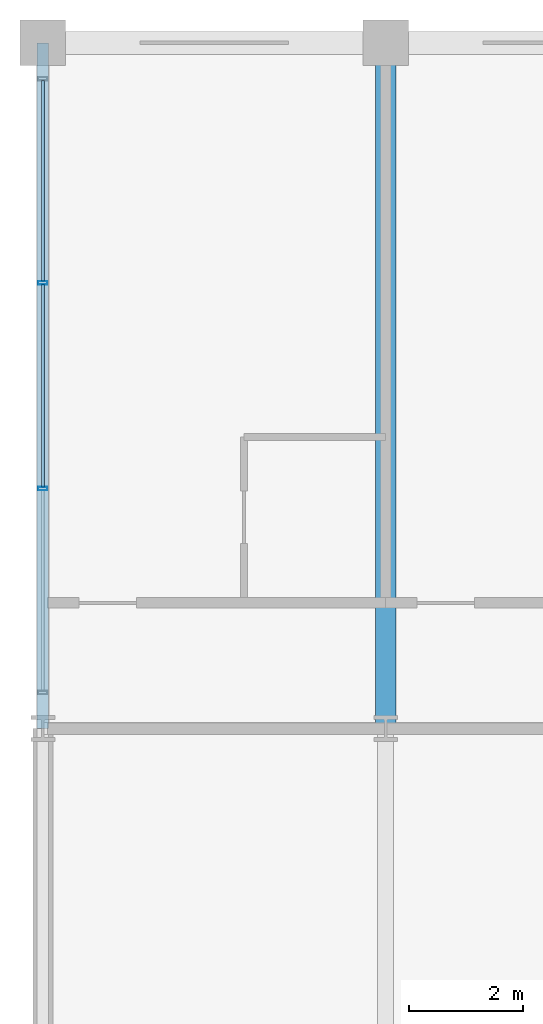
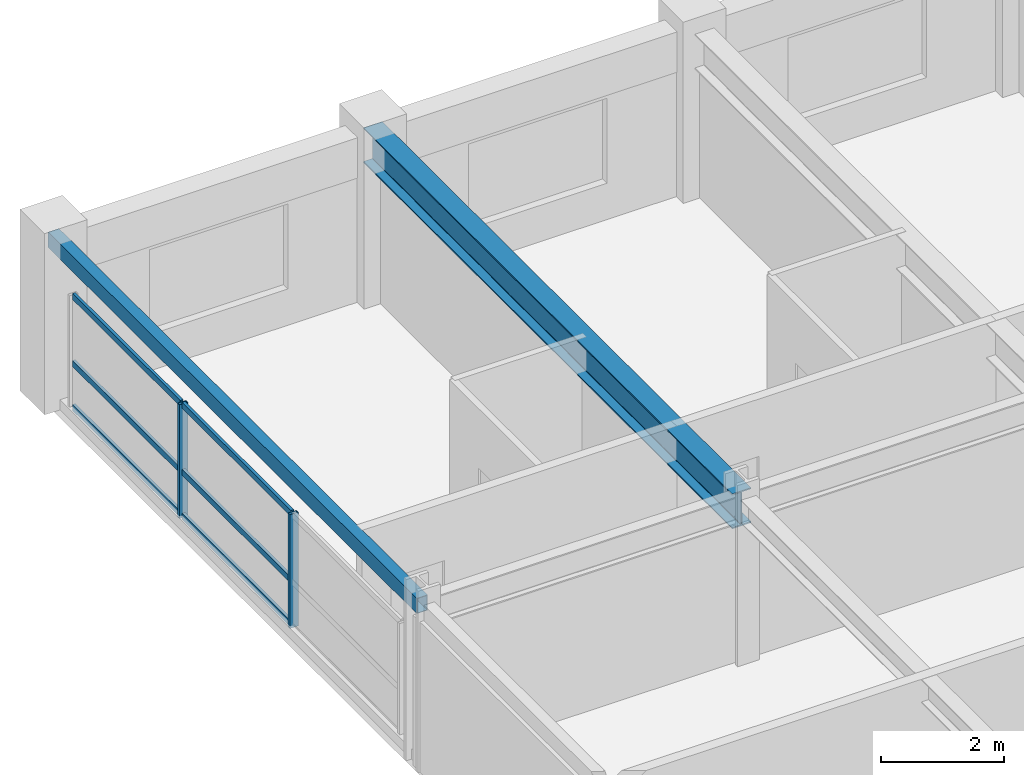
# One storey, part 8 of 26: 8 members, 2 beams, 1 element without a shape of its own.
"""IFC4 building model written with IfcOpenShell, lengths in metres."""

from ifc_helpers import new_model, si_unit, direction, frame, origin, origin_2d, place, context, subcontext, project, spatial, hollow_rectangle, i_section, extrude, material, material_profile, profile_set, type_object, element, aggregate, save


model = new_model("IFC4")

# Units and contexts
model_context = context("Model", 3, precision=1e-05, world=origin(), true_north=direction((0.0, 1.0)))
body_context = subcontext(model_context, "Body", "Model", "MODEL_VIEW")
ifc_project = project(units=[si_unit("LENGTHUNIT", "METRE"), si_unit("AREAUNIT", "SQUARE_METRE"), si_unit("VOLUMEUNIT", "CUBIC_METRE"), si_unit("PLANEANGLEUNIT", "RADIAN"), si_unit("MASSUNIT", "GRAM", prefix="KILO")], contexts=[model_context])

# Site, building, storey
site_placement = place(None, origin())
site = spatial("IfcSite", under=ifc_project, at=site_placement, CompositionType="ELEMENT")
building_placement = place(site_placement, origin())
building = spatial("IfcBuilding", under=site, at=building_placement, Name="Kaldorvane Square Convention Centre", CompositionType="ELEMENT")
storey_placement = place(building_placement, frame((0.0, 0.0, 45.600006103515625)))
storey = spatial("IfcBuildingStorey", under=building, at=storey_placement, Name="L10", CompositionType="ELEMENT", Elevation=45.600006103515625)

# Beams
ifc_material_1 = material(Name="Steel ASTM A992 Gr. 50", Category="steel")
ifc_material_profile_1 = material_profile(ifc_material_1, i_section(OverallWidth=0.354705810546875, OverallDepth=0.69549560546875, WebThickness=0.0153961181640625, FlangeThickness=0.0251007080078125, FilletRadius=0.01519775390625, at=origin_2d()), Name="W27X146")
ifc_profile_set_1 = profile_set([ifc_material_profile_1], Name="Steel ASTM A992 Gr. 50")
beam_type_1 = type_object("IfcBeamType", Name="BM-GR-W27X146", PredefinedType="BEAM", material=ifc_profile_set_1)
beam_1_placement = place(storey_placement, frame((30.0, 105.0, 2.93829345703125), z_axis=(0.0, 1.0, 0.0), x_axis=(-1.0, 0.0, 0.0)))
element("IfcBeam", 1, at=beam_1_placement, inside=storey, type_object=beam_type_1, Name="Transverse Girder (L10)", PredefinedType="BEAM", context=body_context, shape_type="SweptSolid", body=[
    extrude(i_section(OverallWidth=0.354705810546875, OverallDepth=0.69549560546875, WebThickness=0.0153961181640625, FlangeThickness=0.0251007080078125, FilletRadius=0.01519775390625, at=origin_2d()), origin(), (0.0, 0.0, 1.0), 12.0),
])
ifc_material_2 = material(Name="Steel ASTM A500 Gr. C", Category="steel")
ifc_material_profile_2 = material_profile(ifc_material_2, hollow_rectangle(XDim=0.2032012939453125, YDim=0.3047943115234375, WallThickness=0.0088958740234375, at=origin_2d()), Name="HSS12X8X3/8")
ifc_profile_set_2 = profile_set([ifc_material_profile_2], Name="Steel ASTM A500 Gr. C")
beam_type_2 = type_object("IfcBeamType", Name="BM-SP-HSS12", PredefinedType="SPANDREL", material=ifc_profile_set_2)
beam_2_placement = place(storey_placement, frame((24.0, 105.0, 3.1335906982421875), z_axis=(0.0, 1.0, 0.0), x_axis=(-1.0, 0.0, 0.0)))
element("IfcBeam", 2, at=beam_2_placement, inside=storey, type_object=beam_type_2, Name="End Spandrel (L10)", PredefinedType="SPANDREL", context=body_context, shape_type="SweptSolid", body=[
    extrude(hollow_rectangle(XDim=0.2032012939453125, YDim=0.3047943115234375, WallThickness=0.0088958740234375, at=origin_2d()), origin(), (0.0, 0.0, 1.0), 12.0),
])

# Curtain wall, members
ifc_material_3 = material(Name="Anodized Aluminum and Low-E Insulated Glazing", Category="aluminium")
curtain_wall_type = type_object("IfcCurtainWallType", Name="CW-UNI-HTL-B", PredefinedType="USERDEFINED", material=ifc_material_3)
curtain_wall_placement = place(storey_placement, origin())
curtain_wall = element("IfcCurtainWall", 3, at=curtain_wall_placement, inside=storey, type_object=curtain_wall_type, Name="Curtain Wall CW-11 (L10)", ObjectType="UNITISED GLAZING", PredefinedType="USERDEFINED")
ifc_material_profile_3 = material_profile(ifc_material_3, hollow_rectangle(XDim=0.05999755859375, YDim=0.160003662109375, WallThickness=0.003204345703125, at=origin_2d()), Name="CWM-160X60")
ifc_profile_set_3 = profile_set([ifc_material_profile_3], Name="Anodized Aluminum and Low-E Insulated Glazing")
member_type_1 = type_object("IfcMemberType", Name="CW-MUL-160", PredefinedType="MULLION", material=ifc_profile_set_3)
member_1_placement = place(storey_placement, frame((24.0, 112.80000305175781, 0.149993896484375), z_axis=(0.0, 0.0, 1.0), x_axis=(0.0, -1.0, 0.0)))
member_1 = element("IfcMember", 4, at=member_1_placement, type_object=member_type_1, Name="CW-11 mullion 2", PredefinedType="MULLION", context=body_context, shape_type="SweptSolid", body=[
    extrude(hollow_rectangle(XDim=0.05999755859375, YDim=0.160003662109375, WallThickness=0.003204345703125, at=origin_2d()), origin(), (0.0, 0.0, 1.0), 2.2599945068359375),
])
member_2_placement = place(storey_placement, frame((24.0, 109.19999694824219, 0.149993896484375), z_axis=(0.0, 0.0, 1.0), x_axis=(0.0, -1.0, 0.0)))
member_2 = element("IfcMember", 5, at=member_2_placement, type_object=member_type_1, Name="CW-11 mullion 3", PredefinedType="MULLION", context=body_context, shape_type="SweptSolid", body=[
    extrude(hollow_rectangle(XDim=0.05999755859375, YDim=0.160003662109375, WallThickness=0.003204345703125, at=origin_2d()), origin(), (0.0, 0.0, 1.0), 2.2599945068359375),
])
ifc_material_profile_4 = material_profile(ifc_material_3, hollow_rectangle(XDim=0.05499267578125, YDim=0.1199951171875, WallThickness=0.0030059814453125, at=origin_2d()), Name="CWT-120X55")
ifc_profile_set_4 = profile_set([ifc_material_profile_4], Name="Anodized Aluminum and Low-E Insulated Glazing")
member_type_2 = type_object("IfcMemberType", Name="CW-TRN-120", PredefinedType="USERDEFINED", material=ifc_profile_set_4)
member_3_placement = place(storey_placement, frame((24.0, 116.33999633789062, 0.177490234375), z_axis=(0.0, -1.0, 0.0), x_axis=(1.0, 0.0, 0.0)))
member_3 = element("IfcMember", 6, at=member_3_placement, type_object=member_type_2, Name="CW-11 transom 1.1", ObjectType="TRANSOM", PredefinedType="USERDEFINED", context=body_context, shape_type="SweptSolid", body=[
    extrude(hollow_rectangle(XDim=0.05499267578125, YDim=0.1199951171875, WallThickness=0.0030059814453125, at=origin_2d()), origin(), (0.0, 0.0, 1.0), 3.5099945068359375),
])
member_4_placement = place(storey_placement, frame((24.0, 116.33999633789062, 1.04998779296875), z_axis=(0.0, -1.0, 0.0), x_axis=(1.0, 0.0, 0.0)))
member_4 = element("IfcMember", 7, at=member_4_placement, type_object=member_type_2, Name="CW-11 transom 1.2", ObjectType="TRANSOM", PredefinedType="USERDEFINED", context=body_context, shape_type="SweptSolid", body=[
    extrude(hollow_rectangle(XDim=0.05499267578125, YDim=0.1199951171875, WallThickness=0.0030059814453125, at=origin_2d()), origin(), (0.0, 0.0, 1.0), 3.5099945068359375),
])
member_5_placement = place(storey_placement, frame((24.0, 116.33999633789062, 2.3824920654296875), z_axis=(0.0, -1.0, 0.0), x_axis=(1.0, 0.0, 0.0)))
member_5 = element("IfcMember", 8, at=member_5_placement, type_object=member_type_2, Name="CW-11 transom 1.3", ObjectType="TRANSOM", PredefinedType="USERDEFINED", context=body_context, shape_type="SweptSolid", body=[
    extrude(hollow_rectangle(XDim=0.05499267578125, YDim=0.1199951171875, WallThickness=0.0030059814453125, at=origin_2d()), origin(), (0.0, 0.0, 1.0), 3.5099945068359375),
])
member_6_placement = place(storey_placement, frame((24.0, 112.77000427246094, 0.177490234375), z_axis=(0.0, -1.0, 0.0), x_axis=(1.0, 0.0, 0.0)))
member_6 = element("IfcMember", 9, at=member_6_placement, type_object=member_type_2, Name="CW-11 transom 2.1", ObjectType="TRANSOM", PredefinedType="USERDEFINED", context=body_context, shape_type="SweptSolid", body=[
    extrude(hollow_rectangle(XDim=0.05499267578125, YDim=0.1199951171875, WallThickness=0.0030059814453125, at=origin_2d()), origin(), (0.0, 0.0, 1.0), 3.540008544921875),
])
member_7_placement = place(storey_placement, frame((24.0, 112.77000427246094, 1.04998779296875), z_axis=(0.0, -1.0, 0.0), x_axis=(1.0, 0.0, 0.0)))
member_7 = element("IfcMember", 10, at=member_7_placement, type_object=member_type_2, Name="CW-11 transom 2.2", ObjectType="TRANSOM", PredefinedType="USERDEFINED", context=body_context, shape_type="SweptSolid", body=[
    extrude(hollow_rectangle(XDim=0.05499267578125, YDim=0.1199951171875, WallThickness=0.0030059814453125, at=origin_2d()), origin(), (0.0, 0.0, 1.0), 3.540008544921875),
])
member_8_placement = place(storey_placement, frame((24.0, 112.77000427246094, 2.3824920654296875), z_axis=(0.0, -1.0, 0.0), x_axis=(1.0, 0.0, 0.0)))
member_8 = element("IfcMember", 11, at=member_8_placement, type_object=member_type_2, Name="CW-11 transom 2.3", ObjectType="TRANSOM", PredefinedType="USERDEFINED", context=body_context, shape_type="SweptSolid", body=[
    extrude(hollow_rectangle(XDim=0.05499267578125, YDim=0.1199951171875, WallThickness=0.0030059814453125, at=origin_2d()), origin(), (0.0, 0.0, 1.0), 3.540008544921875),
])
aggregate(curtain_wall, [member_1, member_2, member_3, member_4, member_5, member_6, member_7, member_8])

save(model, "model.ifc")
